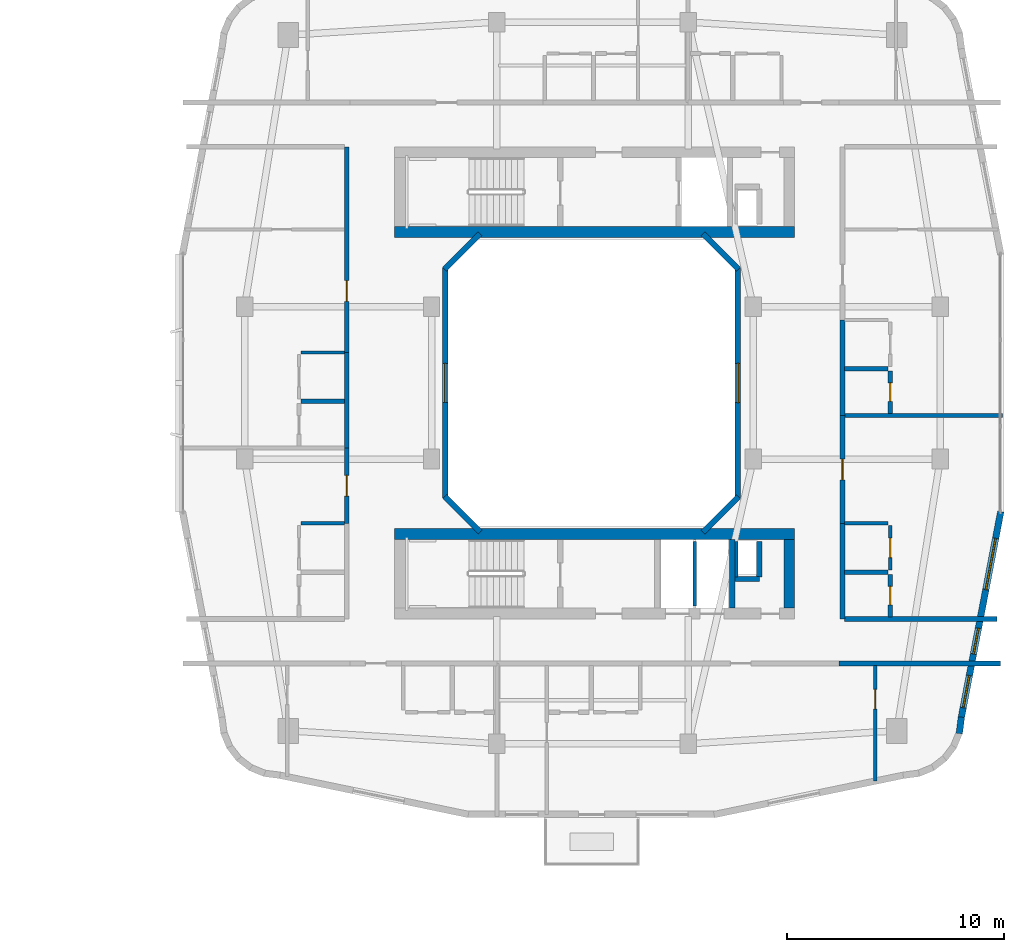
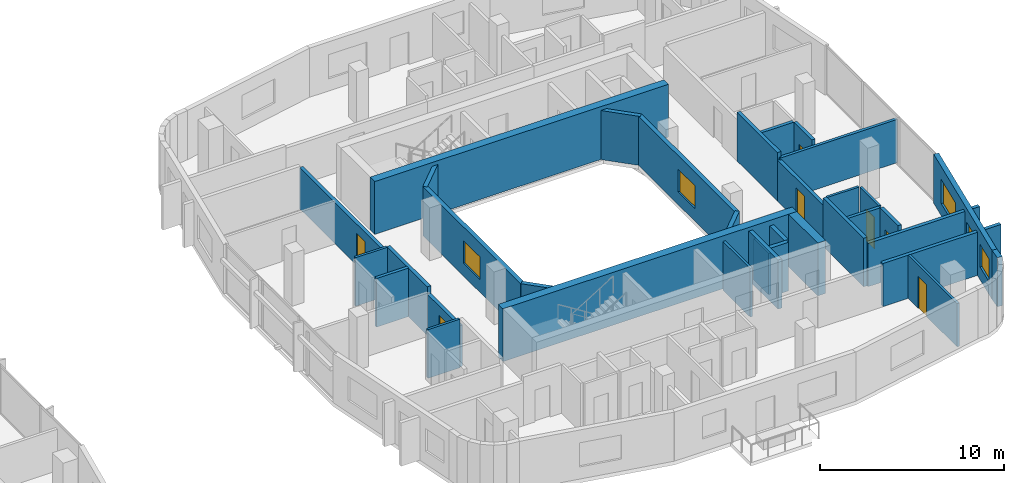
# One storey, part 14 of 22: 35 walls, 7 doors, 5 windows, 12 openings.
"""IFC4 building model written with IfcOpenShell, lengths in metres."""

import ifcopenshell
import ifcopenshell.guid

model = None  # the IFC model being written
_history = None  # IfcOwnerHistory: only IFC2X3 demands one
_inside = {}  # id of a spatial element -> (the spatial element, [elements in it])
_under = {}  # id of a project, library or spatial element -> (it, [spatial elements below it])
_declared = {}  # id of a project -> (the project, [libraries it declares])
_typed = {}  # id of a type object -> (the type object, [elements of that type])
_made_of = {}  # id of a material, layer set ... -> (it, [elements and type objects made of it])


def new_model(schema):
    """Start an empty IFC model of exactly this schema.

    Asked for "IFC4X3", IfcOpenShell would pick the latest addendum, in which some entities
    have other attributes; the version numbers below select the first issue.
    IFC2X3 requires an IfcOwnerHistory on every rooted entity: one is made here for all.
    """
    global model, _history
    if schema == "IFC4X3":
        model = ifcopenshell.file(schema_version=(4, 3, 0, 0))
    else:
        model = ifcopenshell.file(schema=schema)
    _inside.clear()
    _under.clear()
    _declared.clear()
    _typed.clear()
    _made_of.clear()
    _history = None
    if model.schema == "IFC2X3":
        org = make("IfcOrganization", Name="unknown")
        user = make(
            "IfcPersonAndOrganization",
            ThePerson=make("IfcPerson", FamilyName="unknown"),
            TheOrganization=org,
        )
        app = make(
            "IfcApplication",
            ApplicationDeveloper=org,
            Version="unknown",
            ApplicationFullName="unknown",
            ApplicationIdentifier="unknown",
        )
        _history = make(
            "IfcOwnerHistory",
            OwningUser=user,
            OwningApplication=app,
            ChangeAction="ADDED",
            CreationDate=0,
        )
    return model


def make(cls, **values):
    """One entity of the class cls with the attributes given. An attribute that is None is left unset."""
    return model.create_entity(
        cls, **{name: value for name, value in values.items() if value is not None}
    )


def rooted(cls, **values):
    """An entity with a GlobalId (a new one), such as an element, a storey or a relation."""
    return make(cls, GlobalId=ifcopenshell.guid.new(), OwnerHistory=_history, **values)


def si_unit(unit_type, name, prefix=None):
    """IfcSIUnit, for example si_unit("LENGTHUNIT", "METRE", prefix="MILLI")."""
    return make("IfcSIUnit", UnitType=unit_type, Prefix=prefix, Name=name)


def derived_unit(unit_type, elements):
    """IfcDerivedUnit: a product of units, each with its exponent."""
    return make(
        "IfcDerivedUnit",
        Elements=[
            make("IfcDerivedUnitElement", Unit=unit, Exponent=power)
            for unit, power in elements
        ],
        UnitType=unit_type,
    )


def assignment(units):
    """IfcUnitAssignment: the units of a project."""
    return None if units is None else make("IfcUnitAssignment", Units=units)


def point(xyz):
    """IfcCartesianPoint."""
    return None if xyz is None else make("IfcCartesianPoint", Coordinates=xyz)


def direction(xyz):
    """IfcDirection."""
    return None if xyz is None else make("IfcDirection", DirectionRatios=xyz)


def frame(location, z_axis=None, x_axis=None):
    """IfcAxis2Placement3D, a coordinate frame: its origin and axes. An axis left out is left unset."""
    return make(
        "IfcAxis2Placement3D",
        Location=point(location),
        Axis=direction(z_axis),
        RefDirection=direction(x_axis),
    )


def frame_2d(location, x_axis=None):
    """IfcAxis2Placement2D, a coordinate frame in the plane: its origin and x axis."""
    return make(
        "IfcAxis2Placement2D", Location=point(location), RefDirection=direction(x_axis)
    )


def origin():
    """The frame at (0, 0, 0) with its axes left unset."""
    return frame((0.0, 0.0, 0.0))


def place(relative_to, where):
    """IfcLocalPlacement: puts the frame where relative to a parent placement (None: the world)."""
    return make(
        "IfcLocalPlacement", PlacementRelTo=relative_to, RelativePlacement=where
    )


def context(
    kind, dimensions, precision=None, world=None, true_north=None, identifier=None
):
    """IfcGeometricRepresentationContext, for example the 3D "Model" context."""
    return make(
        "IfcGeometricRepresentationContext",
        ContextIdentifier=identifier,
        ContextType=kind,
        CoordinateSpaceDimension=dimensions,
        Precision=precision,
        WorldCoordinateSystem=world,
        TrueNorth=true_north,
    )


def subcontext(parent, identifier, kind, view, scale=None):
    """IfcGeometricRepresentationSubContext, for example "Body" below "Model"."""
    return make(
        "IfcGeometricRepresentationSubContext",
        ContextIdentifier=identifier,
        ContextType=kind,
        ParentContext=parent,
        TargetScale=scale,
        TargetView=view,
    )


def project(units=None, contexts=None):
    """IfcProject with its units and contexts."""
    return rooted(
        "IfcProject",
        Name="project",
        RepresentationContexts=contexts,
        UnitsInContext=assignment(units),
    )


def spatial(cls, under=None, at=None, **own):
    """A site, building, storey or space (cls), placed at a placement, below another one or the project."""
    s = rooted(cls, ObjectPlacement=at, **own)
    if under is not None:
        _under.setdefault(under.id(), (under, []))[1].append(s)
    return s


def profile(cls, at=None, kind="AREA", **sizes):
    """A parametric profile (cls). Its sizes go by their IFC names, for example OverallWidth=200.0."""
    return make(cls, ProfileType=kind, Position=at, **sizes)


def rectangle(**sizes):
    """IfcRectangleProfileDef."""
    return profile("IfcRectangleProfileDef", **sizes)


def extrude(swept, where, along, depth):
    """IfcExtrudedAreaSolid: the profile swept, set in the frame where, extruded along a direction by depth."""
    return make(
        "IfcExtrudedAreaSolid",
        SweptArea=swept,
        Position=where,
        ExtrudedDirection=direction(along),
        Depth=depth,
    )


def shape(context_of_items, identifier, shape_type, items):
    """IfcShapeRepresentation: the items that make up one representation, for example the "Body"."""
    return make(
        "IfcShapeRepresentation",
        ContextOfItems=context_of_items,
        RepresentationIdentifier=identifier,
        RepresentationType=shape_type,
        Items=items,
    )


def material(Name=None, Category=None):
    """IfcMaterial."""
    return make("IfcMaterial", Name=Name, Category=Category)


def layer(
    of_material, thickness, ventilated=None, Name=None, Category=None, Priority=None
):
    """IfcMaterialLayer: one layer of a wall or slab, of a material (None: an air gap)."""
    return make(
        "IfcMaterialLayer",
        Material=of_material,
        LayerThickness=thickness,
        IsVentilated=ventilated,
        Name=Name,
        Category=Category,
        Priority=Priority,
    )


def layer_set(layers, Name=None):
    """IfcMaterialLayerSet."""
    return make("IfcMaterialLayerSet", MaterialLayers=layers, LayerSetName=Name)


def made_of(thing, what):
    """Note that an element or type object is made of a material, layer set ...; save() writes the relation."""
    if what is not None:
        _made_of.setdefault(what.id(), (what, []))[1].append(thing)
    return thing


def type_object(cls, material=None, **own):
    """A type object (cls), such as IfcWallType, which elements share."""
    return made_of(rooted(cls, **own), material)


def element(
    cls,
    number,
    at=None,
    inside=None,
    cuts=None,
    type_object=None,
    material=None,
    context=None,
    identifier="Body",
    shape_type=None,
    held_by="IfcProductDefinitionShape",
    body=None,
    shapes=None,
    **own,
):
    """One element of the class cls, such as IfcWall. Its Tag is "e" and its number.

    at: its placement. inside: the storey or other place that contains it. cuts: it is an
    opening in that element (IfcRelVoidsElement). A single representation is given by context,
    identifier, shape_type and body (its items); several are given by shapes. held_by: the class
    of the entity that holds the representations. save() writes the other relations.
    """
    e = rooted(cls, Tag="e%d" % number, ObjectPlacement=at, **own)
    if body is not None:
        shapes = [shape(context, identifier, shape_type, body)]
    if shapes is not None:
        e.Representation = make(held_by, Representations=shapes)
    if inside is not None:
        _inside.setdefault(inside.id(), (inside, []))[1].append(e)
    if cuts is not None:
        rooted(
            "IfcRelVoidsElement", RelatingBuildingElement=cuts, RelatedOpeningElement=e
        )
    if type_object is not None:
        _typed.setdefault(type_object.id(), (type_object, []))[1].append(e)
    return made_of(e, material)


def fill(opening, filler):
    """IfcRelFillsElement: the door or window that sits in an opening."""
    return rooted(
        "IfcRelFillsElement",
        RelatingOpeningElement=opening,
        RelatedBuildingElement=filler,
    )


def aggregate(whole, parts):
    """IfcRelAggregates: a whole, such as a stair, and the parts it consists of."""
    return rooted("IfcRelAggregates", RelatingObject=whole, RelatedObjects=parts)


def save(model, path):
    """Write the relations noted so far, then the file.

    IfcRelAggregates (storeys below a building ...), IfcRelContainedInSpatialStructure (elements
    in a storey), IfcRelDefinesByType, IfcRelAssociatesMaterial and IfcRelDeclares: one each for
    every whole, place, type object, material and project.
    """
    for whole, parts in _under.values():
        aggregate(whole, parts)
    for where, things in _inside.values():
        rooted(
            "IfcRelContainedInSpatialStructure",
            RelatedElements=things,
            RelatingStructure=where,
        )
    for kind, things in _typed.values():
        rooted("IfcRelDefinesByType", RelatedObjects=things, RelatingType=kind)
    for what, things in _made_of.values():
        rooted("IfcRelAssociatesMaterial", RelatedObjects=things, RelatingMaterial=what)
    for by, libraries in _declared.values():
        rooted("IfcRelDeclares", RelatingContext=by, RelatedDefinitions=libraries)
    model.write(path)


model = new_model("IFC4")

# Units and contexts
model_context = context("Model", 3, precision=1e-05, world=origin(), true_north=direction((0.0, 1.0)))
body_context = subcontext(model_context, "Body", "Model", "MODEL_VIEW")
ifc_project = project(units=[si_unit("LENGTHUNIT", "METRE"), si_unit("AREAUNIT", "SQUARE_METRE"), si_unit("VOLUMEUNIT", "CUBIC_METRE"), si_unit("PLANEANGLEUNIT", "RADIAN"), si_unit("MASSUNIT", "GRAM", prefix="KILO"), derived_unit("THERMALTRANSMITTANCEUNIT", [(si_unit("POWERUNIT", "WATT"), 1), (si_unit("LENGTHUNIT", "METRE"), -2), (si_unit("THERMODYNAMICTEMPERATUREUNIT", "KELVIN"), -1)])], contexts=[model_context])

# Site, building, storey
site_placement = place(None, origin())
site = spatial("IfcSite", under=ifc_project, at=site_placement, CompositionType="ELEMENT")
building_placement = place(site_placement, origin())
building = spatial("IfcBuilding", under=site, at=building_placement, Name="Kivonza Crest Hotel", CompositionType="ELEMENT")
storey_placement = place(building_placement, frame((0.0, 0.0, 69.5)))
storey = spatial("IfcBuildingStorey", under=building, at=storey_placement, Name="L18", CompositionType="ELEMENT", Elevation=69.5)

# Walls
ifc_material_1 = material(Name="High-density acoustic masonry inter-tenancy wall", Category="masonry")
ifc_layer_1 = layer(ifc_material_1, 0.179931640625)
ifc_layer_set_1 = layer_set([ifc_layer_1], Name="High-density acoustic masonry inter-tenancy wall")
wall_type_1 = type_object("IfcWallType", Name="WL-ACOU-180", PredefinedType="SOLIDWALL", material=ifc_layer_set_1)
wall_1_placement = place(storey_placement, frame((88.5, 23.5, 0.0), z_axis=(0.0, 0.0, 1.0), x_axis=(1.0, 0.0, 0.0)))
element("IfcWall", 1, at=wall_1_placement, inside=storey, type_object=wall_type_1, Name="L18 interior partition WA-L18-T2E-DIV1", PredefinedType="SOLIDWALL", context=body_context, shape_type="SweptSolid", body=[
    extrude(rectangle(XDim=7.360107421875, YDim=0.179931640625, at=frame_2d((3.68017578125, 0.0))), origin(), (0.0, 0.0, 1.0), 2.864990234375),
])
ifc_material_2 = material(Name="Autoclaved aerated concrete blockwork", Category="masonry")
ifc_layer_2 = layer(ifc_material_2, 0.219970703125)
ifc_layer_set_2 = layer_set([ifc_layer_2], Name="Autoclaved aerated concrete blockwork")
wall_type_2 = type_object("IfcWallType", Name="WL-ACOU-220", PredefinedType="SOLIDWALL", material=ifc_layer_set_2)
wall_2_placement = place(storey_placement, frame((88.35009765625, 12.10009765625, 0.0), z_axis=(0.0, 0.0, 1.0), x_axis=(1.0, 0.0, 0.0)))
element("IfcWall", 2, at=wall_2_placement, inside=storey, type_object=wall_type_2, Name="L18 interior partition WA-L18-A04-RCORR", PredefinedType="SOLIDWALL", context=body_context, shape_type="SweptSolid", body=[
    extrude(rectangle(XDim=7.409912109375, YDim=0.219970703125, at=frame_2d((3.705078125, 0.0))), origin(), (0.0, 0.0, 1.0), 2.864990234375),
])

# Wall, opening, door
wall_3_placement = place(storey_placement, frame((65.699951171875, 18.5400390625, 0.0), z_axis=(0.0, 0.0, 1.0), x_axis=(0.0, 1.0, 0.0)))
wall_3 = element("IfcWall", 3, at=wall_3_placement, inside=storey, type_object=wall_type_2, Name="L18 interior partition WA-L18-A05-MCORR", PredefinedType="SOLIDWALL", context=body_context, shape_type="SweptSolid", body=[
    extrude(rectangle(XDim=3.4599609375, YDim=0.219970703125, at=frame_2d((1.72998046875, 0.0))), origin(), (0.0, 0.0, 1.0), 2.72509765625),
])
opening_1_placement = place(wall_3_placement, frame((1.2548828125, 0.0, 0.0)))
opening_1 = element("IfcOpeningElement", 4, at=opening_1_placement, cuts=wall_3, Name="Opening DU-60", PredefinedType="OPENING", context=body_context, shape_type="SweptSolid", body=[
    extrude(rectangle(XDim=0.949951171875, YDim=2.10009765625, at=frame_2d((0.47509765625, 1.050048828125))), frame((0.0, 0.1201171875, 0.0), z_axis=(0.0, -1.0, 0.0), x_axis=(1.0, 0.0, 0.0)), (0.0, 0.0, 1.0), 0.239990234375),
])
ifc_material_3 = material(Name="Hardwood timber oak", Category="wood")
door_type_1 = type_object("IfcDoorType", Name="DR-UNIT-950", OperationType="NOTDEFINED", PredefinedType="DOOR", material=ifc_material_3)
door_1_placement = place(opening_1_placement, origin())
door_1 = element("IfcDoor", 5, at=door_1_placement, inside=storey, type_object=door_type_1, Name="L18 A05 apartment entrance fire door", OperationType="SINGLE_SWING_LEFT", OverallHeight=2.10009765625, OverallWidth=0.949951171875, PredefinedType="DOOR", context=body_context, shape_type="SweptSolid", body=[
    extrude(rectangle(XDim=0.949951171875, YDim=2.10009765625, at=frame_2d((0.47509765625, 1.050048828125))), frame((0.0, 0.02490234375, 0.0), z_axis=(0.0, -1.0, 0.0), x_axis=(1.0, 0.0, 0.0)), (0.0, 0.0, 1.0), 0.050048828125),
])
fill(opening_1, door_1)

# Wall
wall_4_placement = place(storey_placement, frame((65.699951171875, 22.0, 0.0), z_axis=(0.0, 0.0, 1.0), x_axis=(0.0, 1.0, 0.0)))
element("IfcWall", 6, at=wall_4_placement, inside=storey, type_object=wall_type_2, Name="L18 interior partition WA-L18-A06-BCORR", PredefinedType="SOLIDWALL", context=body_context, shape_type="SweptSolid", body=[
    extrude(rectangle(XDim=4.39990234375, YDim=0.219970703125, at=frame_2d((2.199951171875, 0.0))), origin(), (0.0, 0.0, 1.0), 3.219970703125),
])

# Wall, opening, door
wall_5_placement = place(storey_placement, frame((65.699951171875, 26.39990234375, 0.0), z_axis=(0.0, 0.0, 1.0), x_axis=(0.0, 1.0, 0.0)))
wall_5 = element("IfcWall", 7, at=wall_5_placement, inside=storey, type_object=wall_type_2, Name="L18 interior partition WA-L18-A06-MCORR", PredefinedType="SOLIDWALL", context=body_context, shape_type="SweptSolid", body=[
    extrude(rectangle(XDim=9.460205078125, YDim=0.219970703125, at=frame_2d((4.72998046875, 0.0))), origin(), (0.0, 0.0, 1.0), 2.72509765625),
])
opening_2_placement = place(wall_5_placement, frame((2.35498046875, 0.0, 0.0)))
opening_2 = element("IfcOpeningElement", 8, at=opening_2_placement, cuts=wall_5, Name="Opening DU-60", PredefinedType="OPENING", context=body_context, shape_type="SweptSolid", body=[
    extrude(rectangle(XDim=0.949951171875, YDim=2.10009765625, at=frame_2d((0.47509765625, 1.050048828125))), frame((0.0, 0.1201171875, 0.0), z_axis=(0.0, -1.0, 0.0), x_axis=(1.0, 0.0, 0.0)), (0.0, 0.0, 1.0), 0.239990234375),
])
door_2_placement = place(opening_2_placement, origin())
door_2 = element("IfcDoor", 9, at=door_2_placement, inside=storey, type_object=door_type_1, Name="L18 A06 apartment entrance fire door", OperationType="SINGLE_SWING_RIGHT", OverallHeight=2.10009765625, OverallWidth=0.949951171875, PredefinedType="DOOR", context=body_context, shape_type="SweptSolid", body=[
    extrude(rectangle(XDim=0.949951171875, YDim=2.10009765625, at=frame_2d((0.47509765625, 1.050048828125))), frame((0.0, 0.02490234375, 0.0), z_axis=(0.0, -1.0, 0.0), x_axis=(1.0, 0.0, 0.0)), (0.0, 0.0, 1.0), 0.050048828125),
])
fill(opening_2, door_2)

# Walls
wall_6_placement = place(storey_placement, frame((88.60009765625, 14.139892578125, 0.0), z_axis=(0.0, 0.0, 1.0), x_axis=(1.0, 0.0, 0.0)))
element("IfcWall", 10, at=wall_6_placement, inside=storey, type_object=wall_type_2, Name="L18 interior partition WA-L18-T2E-ENDS", PredefinedType="SOLIDWALL", context=body_context, shape_type="SweptSolid", body=[
    extrude(rectangle(XDim=7.0, YDim=0.219970703125, at=frame_2d((3.5, 0.0))), origin(), (0.0, 0.0, 1.0), 2.864990234375),
])
wall_7_placement = place(storey_placement, frame((88.5, 14.139892578125, 0.0), z_axis=(0.0, 0.0, 1.0), x_axis=(0.0, 1.0, 0.0)))
element("IfcWall", 11, at=wall_7_placement, inside=storey, type_object=wall_type_2, Name="L18 interior partition WA-L18-A07-BCORR", PredefinedType="SOLIDWALL", context=body_context, shape_type="SweptSolid", body=[
    extrude(rectangle(XDim=4.400146484375, YDim=0.219970703125, at=frame_2d((2.2001953125, 0.0))), origin(), (0.0, 0.0, 1.0), 3.219970703125),
])

# Wall, opening, door
wall_8_placement = place(storey_placement, frame((88.5, 18.5400390625, 0.0), z_axis=(0.0, 0.0, 1.0), x_axis=(0.0, 1.0, 0.0)))
wall_8 = element("IfcWall", 12, at=wall_8_placement, inside=storey, type_object=wall_type_2, Name="L18 interior partition WA-L18-A07-MCORR", PredefinedType="SOLIDWALL", context=body_context, shape_type="SweptSolid", body=[
    extrude(rectangle(XDim=4.9599609375, YDim=0.219970703125, at=frame_2d((2.47998046875, 0.0))), origin(), (0.0, 0.0, 1.0), 2.72509765625),
])
opening_3_placement = place(wall_8_placement, frame((2.0048828125, 0.0, 0.0)))
opening_3 = element("IfcOpeningElement", 13, at=opening_3_placement, cuts=wall_8, Name="Opening DU-60", PredefinedType="OPENING", context=body_context, shape_type="SweptSolid", body=[
    extrude(rectangle(XDim=0.949951171875, YDim=2.10009765625, at=frame_2d((0.47509765625, 1.050048828125))), frame((0.0, 0.1201171875, 0.0), z_axis=(0.0, -1.0, 0.0), x_axis=(1.0, 0.0, 0.0)), (0.0, 0.0, 1.0), 0.239990234375),
])
door_3_placement = place(opening_3_placement, frame((0.949951171875, 0.0, 0.0), z_axis=(0.0, 0.0, 1.0), x_axis=(-1.0, 0.0, 0.0)))
door_3 = element("IfcDoor", 14, at=door_3_placement, inside=storey, type_object=door_type_1, Name="L18 A07 apartment entrance fire door", OperationType="SINGLE_SWING_LEFT", OverallHeight=2.10009765625, OverallWidth=0.949951171875, PredefinedType="DOOR", context=body_context, shape_type="SweptSolid", body=[
    extrude(rectangle(XDim=0.949951171875, YDim=2.10009765625, at=frame_2d((0.47509765625, 1.050048828125))), frame((0.0, 0.02490234375, 0.0), z_axis=(0.0, -1.0, 0.0), x_axis=(1.0, 0.0, 0.0)), (0.0, 0.0, 1.0), 0.050048828125),
])
fill(opening_3, door_3)

# Walls
wall_9_placement = place(storey_placement, frame((88.5, 23.5, 0.0), z_axis=(0.0, 0.0, 1.0), x_axis=(0.0, 1.0, 0.0)))
element("IfcWall", 15, at=wall_9_placement, inside=storey, type_object=wall_type_2, Name="L18 interior partition WA-L18-A08-BCORR", PredefinedType="SOLIDWALL", context=body_context, shape_type="SweptSolid", body=[
    extrude(rectangle(XDim=4.39990234375, YDim=0.219970703125, at=frame_2d((2.199951171875, 0.0))), origin(), (0.0, 0.0, 1.0), 3.219970703125),
])
ifc_material_4 = material(Name="Concrete C60/75", Category="concrete")
ifc_layer_3 = layer(ifc_material_4, 0.5)
ifc_layer_set_3 = layer_set([ifc_layer_3], Name="Concrete C60/75")
wall_type_3 = type_object("IfcWallType", Name="WL-CORE-500", PredefinedType="SHEAR", material=ifc_layer_set_3)
for number, where, z_axis, x_axis, name in (
    (16, (67.89990234375, 31.949951171875, 0.0), (0.0, 0.0, 1.0), (1.0, 0.0, 0.0), "Core wall T2-N South L18"),
    (17, (67.89990234375, 18.050048828125, 0.0), (0.0, 0.0, 1.0), (1.0, 0.0, 0.0), "Core wall T2-S North L18"),
):
    element("IfcWall", number, at=place(storey_placement, frame(where, z_axis=z_axis, x_axis=x_axis)), inside=storey, type_object=wall_type_3, Name=name, PredefinedType="SHEAR", context=body_context, shape_type="SweptSolid", body=[
        extrude(rectangle(XDim=18.400146484375, YDim=0.5, at=frame_2d((9.2001953125, 0.0))), origin(), (0.0, 0.0, 1.0), 3.5),
    ])
wall_10_placement = place(storey_placement, frame((86.050048828125, 14.639892578125, 0.0), z_axis=(0.0, 0.0, 1.0), x_axis=(0.0, 1.0, 0.0)))
element("IfcWall", 18, at=wall_10_placement, inside=storey, type_object=wall_type_3, Name="Core wall T2-S East L18", PredefinedType="SHEAR", context=body_context, shape_type="SweptSolid", body=[
    extrude(rectangle(XDim=3.16015625, YDim=0.5, at=frame_2d((1.580078125, 0.0))), origin(), (0.0, 0.0, 1.0), 3.5),
])
ifc_material_5 = material(Name="Precast concrete C40/50", Category="concrete")
ifc_layer_4 = layer(ifc_material_5, 0.260009765625)
ifc_layer_set_4 = layer_set([ifc_layer_4], Name="Precast concrete C40/50")
wall_type_4 = type_object("IfcWallType", Name="WL-EXT-260", PredefinedType="STANDARD", material=ifc_layer_set_4)
wall_11_placement = place(storey_placement, frame((82.08203125, 18.137939453125, 0.0), z_axis=(0.0, 0.0, 1.0), x_axis=(0.707106781187, 0.707106781187, 0.0)))
element("IfcWall", 19, at=wall_11_placement, inside=storey, type_object=wall_type_4, Name="L18 T2 light-well exterior wall 2", PredefinedType="STANDARD", context=body_context, shape_type="SweptSolid", body=[
    extrude(rectangle(XDim=2.310791015625, YDim=0.260009765625, at=frame_2d((1.1552734375, 0.0))), origin(), (0.0, 0.0, 1.0), 3.25),
])

# Wall, opening, window
wall_12_placement = place(storey_placement, frame((83.68994140625, 19.7099609375, 0.0), z_axis=(0.0, 0.0, 1.0), x_axis=(0.0, 1.0, 0.0)))
wall_12 = element("IfcWall", 20, at=wall_12_placement, inside=storey, type_object=wall_type_4, Name="L18 T2 light-well exterior wall 3", PredefinedType="STANDARD", context=body_context, shape_type="SweptSolid", body=[
    extrude(rectangle(XDim=10.580078125, YDim=0.260009765625, at=frame_2d((5.2900390625, 0.0))), origin(), (0.0, 0.0, 1.0), 3.25),
])
opening_4_placement = place(wall_12_placement, frame((4.389892578125, 0.0, 0.85009765625)))
opening_4 = element("IfcOpeningElement", 21, at=opening_4_placement, cuts=wall_12, Name="Opening WN-03", PredefinedType="OPENING", context=body_context, shape_type="SweptSolid", body=[
    extrude(rectangle(XDim=1.800048828125, YDim=1.5, at=frame_2d((0.89990234375, 0.75))), frame((0.0, 0.14013671875, 0.0), z_axis=(0.0, -1.0, 0.0), x_axis=(1.0, 0.0, 0.0)), (0.0, 0.0, 1.0), 0.280029296875),
])
ifc_material_6 = material(Name="Thermally broken bronze aluminium and low-E double glazing", Category="aluminium")
window_type_1 = type_object("IfcWindowType", Name="WN-180x150", PartitioningType="DOUBLE_PANEL_VERTICAL", PredefinedType="WINDOW", material=ifc_material_6)
window_1_placement = place(opening_4_placement, origin())
window_1 = element("IfcWindow", 22, at=window_1_placement, inside=storey, type_object=window_type_1, Name="L18 T2 light-well window 3", OverallHeight=1.5, OverallWidth=1.800048828125, PartitioningType="SINGLE_PANEL", PredefinedType="WINDOW", context=body_context, shape_type="SweptSolid", body=[
    extrude(rectangle(XDim=1.800048828125, YDim=1.5, at=frame_2d((0.89990234375, 0.75))), frame((0.0, 0.030029296875, 0.0), z_axis=(0.0, -1.0, 0.0), x_axis=(1.0, 0.0, 0.0)), (0.0, 0.0, 1.0), 0.06005859375),
])
fill(opening_4, window_1)

# Walls
for number, where, z_axis, x_axis, name in (
    (23, (83.716064453125, 30.22802734375, 0.0), (0.0, 0.0, 1.0), (-0.707106781187, 0.707106781187, 0.0), "L18 T2 light-well exterior wall 4"),
    (24, (71.837890625, 31.862060546875, 0.0), (0.0, 0.0, 1.0), (-0.707053950914, -0.707159607512, 0.0), "L18 T2 light-well exterior wall 6"),
):
    element("IfcWall", number, at=place(storey_placement, frame(where, z_axis=z_axis, x_axis=x_axis)), inside=storey, type_object=wall_type_4, Name=name, PredefinedType="STANDARD", context=body_context, shape_type="SweptSolid", body=[
        extrude(rectangle(XDim=2.310791015625, YDim=0.260009765625, at=frame_2d((1.1552734375, 0.0))), origin(), (0.0, 0.0, 1.0), 3.25),
    ])

# Wall, opening, window
wall_13_placement = place(storey_placement, frame((70.22998046875, 30.2900390625, 0.0), z_axis=(0.0, 0.0, 1.0), x_axis=(0.0, -1.0, 0.0)))
wall_13 = element("IfcWall", 25, at=wall_13_placement, inside=storey, type_object=wall_type_4, Name="L18 T2 light-well exterior wall 7", PredefinedType="STANDARD", context=body_context, shape_type="SweptSolid", body=[
    extrude(rectangle(XDim=10.580078125, YDim=0.260009765625, at=frame_2d((5.2900390625, 0.0))), origin(), (0.0, 0.0, 1.0), 3.25),
])
opening_5_placement = place(wall_13_placement, frame((4.389892578125, 0.0, 0.85009765625)))
opening_5 = element("IfcOpeningElement", 26, at=opening_5_placement, cuts=wall_13, Name="Opening WN-03", PredefinedType="OPENING", context=body_context, shape_type="SweptSolid", body=[
    extrude(rectangle(XDim=1.800048828125, YDim=1.5, at=frame_2d((0.89990234375, 0.75))), frame((0.0, 0.14013671875, 0.0), z_axis=(0.0, -1.0, 0.0), x_axis=(1.0, 0.0, 0.0)), (0.0, 0.0, 1.0), 0.280029296875),
])
window_2_placement = place(opening_5_placement, origin())
window_2 = element("IfcWindow", 27, at=window_2_placement, inside=storey, type_object=window_type_1, Name="L18 T2 light-well window 7", OverallHeight=1.5, OverallWidth=1.800048828125, PartitioningType="SINGLE_PANEL", PredefinedType="WINDOW", context=body_context, shape_type="SweptSolid", body=[
    extrude(rectangle(XDim=1.800048828125, YDim=1.5, at=frame_2d((0.89990234375, 0.75))), frame((0.0, 0.030029296875, 0.0), z_axis=(0.0, -1.0, 0.0), x_axis=(1.0, 0.0, 0.0)), (0.0, 0.0, 1.0), 0.06005859375),
])
fill(opening_5, window_2)

# Walls
wall_14_placement = place(storey_placement, frame((70.2041015625, 19.77197265625, 0.0), z_axis=(0.0, 0.0, 1.0), x_axis=(0.707053950914, -0.707159607512, 0.0)))
element("IfcWall", 28, at=wall_14_placement, inside=storey, type_object=wall_type_4, Name="L18 T2 light-well exterior wall 8", PredefinedType="STANDARD", context=body_context, shape_type="SweptSolid", body=[
    extrude(rectangle(XDim=2.310791015625, YDim=0.260009765625, at=frame_2d((1.1552734375, 0.0))), origin(), (0.0, 0.0, 1.0), 3.25),
])
ifc_layer_5 = layer(ifc_material_5, 0.300048828125)
ifc_layer_set_5 = layer_set([ifc_layer_5], Name="Precast concrete C40/50")
wall_type_5 = type_object("IfcWallType", Name="WL-EXT-300", PredefinedType="STANDARD", material=ifc_layer_set_5)
wall_15_placement = place(storey_placement, frame((93.873046875, 8.868896484375, 0.0), z_axis=(0.0, 0.0, 1.0), x_axis=(0.129339184068, 0.991600411186, 0.0)))
element("IfcWall", 29, at=wall_15_placement, inside=storey, type_object=wall_type_5, Name="L18 T2 exterior insulated wall 15", PredefinedType="STANDARD", context=body_context, shape_type="SweptSolid", body=[
    extrude(rectangle(XDim=0.764404296875, YDim=0.300048828125, at=frame_2d((0.38232421875, 0.0))), origin(), (0.0, 0.0, 1.0), 3.25),
])

# Wall, openings, windows
wall_16_placement = place(storey_placement, frame((93.970947265625, 9.6201171875, 0.0), z_axis=(0.0, 0.0, 1.0), x_axis=(0.188087874316, 0.982152203854, 0.0)))
wall_16 = element("IfcWall", 30, at=wall_16_placement, inside=storey, type_object=wall_type_5, Name="L18 T2 exterior insulated wall 16", PredefinedType="STANDARD", context=body_context, shape_type="SweptSolid", body=[
    extrude(rectangle(XDim=9.6337890625, YDim=0.300048828125, at=frame_2d((4.81689453125, 0.0))), origin(), (0.0, 0.0, 1.0), 3.25),
])
opening_6_placement = place(wall_16_placement, frame((0.451904296875, 0.0, 0.85009765625)))
opening_6 = element("IfcOpeningElement", 31, at=opening_6_placement, cuts=wall_16, Name="Opening WN-02", PredefinedType="OPENING", context=body_context, shape_type="SweptSolid", body=[
    extrude(rectangle(XDim=1.5, YDim=1.5, at=frame_2d((0.75, 0.75))), frame((0.0, 0.16015625, 0.0), z_axis=(0.0, -1.0, 0.0), x_axis=(1.0, 0.0, 0.0)), (0.0, 0.0, 1.0), 0.320068359375),
])
opening_7_placement = place(wall_16_placement, frame((2.964111328125, 0.0, 0.85009765625)))
opening_7 = element("IfcOpeningElement", 32, at=opening_7_placement, cuts=wall_16, Name="Opening WN-01", PredefinedType="OPENING", context=body_context, shape_type="SweptSolid", body=[
    extrude(rectangle(XDim=1.199951171875, YDim=1.5, at=frame_2d((0.60009765625, 0.75))), frame((0.0, 0.16015625, 0.0), z_axis=(0.0, -1.0, 0.0), x_axis=(1.0, 0.0, 0.0)), (0.0, 0.0, 1.0), 0.320068359375),
])
opening_8_placement = place(wall_16_placement, frame((5.97900390625, 0.0, 0.800048828125)))
opening_8 = element("IfcOpeningElement", 33, at=opening_8_placement, cuts=wall_16, Name="Opening WN-05", PredefinedType="OPENING", context=body_context, shape_type="SweptSolid", body=[
    extrude(rectangle(XDim=2.39990234375, YDim=1.60009765625, at=frame_2d((1.199951171875, 0.800048828125))), frame((0.0, 0.16015625, 0.0), z_axis=(0.0, -1.0, 0.0), x_axis=(1.0, 0.0, 0.0)), (0.0, 0.0, 1.0), 0.320068359375),
])
window_type_2 = type_object("IfcWindowType", Name="WN-120x150", PartitioningType="SINGLE_PANEL", PredefinedType="WINDOW", material=ifc_material_6)
window_3_placement = place(opening_7_placement, origin())
window_3 = element("IfcWindow", 34, at=window_3_placement, inside=storey, type_object=window_type_2, Name="L18 T2 facade window 16 bay 2", OverallHeight=1.5, OverallWidth=1.199951171875, PartitioningType="SINGLE_PANEL", PredefinedType="WINDOW", context=body_context, shape_type="SweptSolid", body=[
    extrude(rectangle(XDim=1.199951171875, YDim=1.5, at=frame_2d((0.60009765625, 0.75))), frame((0.0, 0.030029296875, 0.0), z_axis=(0.0, -1.0, 0.0), x_axis=(1.0, 0.0, 0.0)), (0.0, 0.0, 1.0), 0.06005859375),
])
fill(opening_7, window_3)
window_type_3 = type_object("IfcWindowType", Name="WN-150x150", PartitioningType="DOUBLE_PANEL_VERTICAL", PredefinedType="WINDOW", material=ifc_material_6)
window_4_placement = place(opening_6_placement, origin())
window_4 = element("IfcWindow", 35, at=window_4_placement, inside=storey, type_object=window_type_3, Name="L18 T2 facade window 16 bay 1", OverallHeight=1.5, OverallWidth=1.5, PartitioningType="SINGLE_PANEL", PredefinedType="WINDOW", context=body_context, shape_type="SweptSolid", body=[
    extrude(rectangle(XDim=1.5, YDim=1.5, at=frame_2d((0.75, 0.75))), frame((0.0, 0.030029296875, 0.0), z_axis=(0.0, -1.0, 0.0), x_axis=(1.0, 0.0, 0.0)), (0.0, 0.0, 1.0), 0.06005859375),
])
fill(opening_6, window_4)
window_type_4 = type_object("IfcWindowType", Name="WN-240x160", PartitioningType="TRIPLE_PANEL_VERTICAL", PredefinedType="WINDOW", material=ifc_material_6)
window_5_placement = place(opening_8_placement, origin())
window_5 = element("IfcWindow", 36, at=window_5_placement, inside=storey, type_object=window_type_4, Name="L18 T2 facade window 16 bay 3", OverallHeight=1.60009765625, OverallWidth=2.39990234375, PartitioningType="SINGLE_PANEL", PredefinedType="WINDOW", context=body_context, shape_type="SweptSolid", body=[
    extrude(rectangle(XDim=2.39990234375, YDim=1.60009765625, at=frame_2d((1.199951171875, 0.800048828125))), frame((0.0, 0.030029296875, 0.0), z_axis=(0.0, -1.0, 0.0), x_axis=(1.0, 0.0, 0.0)), (0.0, 0.0, 1.0), 0.06005859375),
])
fill(opening_8, window_5)

# Walls
ifc_material_7 = material(Name="Concrete blockwork fire-compartment wall", Category="masonry")
ifc_layer_6 = layer(ifc_material_7, 0.25)
ifc_layer_set_6 = layer_set([ifc_layer_6], Name="Concrete blockwork fire-compartment wall")
wall_type_6 = type_object("IfcWallType", Name="WL-FIRE-250", PredefinedType="SOLIDWALL", material=ifc_layer_set_6)
wall_17_placement = place(storey_placement, frame((84.679931640625, 16.080078125, 0.0), z_axis=(0.0, 0.0, 1.0), x_axis=(0.0, 1.0, 0.0)))
element("IfcWall", 37, at=wall_17_placement, inside=storey, type_object=wall_type_6, Name="L18 interior partition WA-L18-T2-S-MEPR-E", PredefinedType="SOLIDWALL", context=body_context, shape_type="SweptSolid", body=[
    extrude(rectangle(XDim=1.619873046875, YDim=0.25, at=frame_2d((0.81005859375, 0.0))), origin(), (0.0, 0.0, 1.0), 3.219970703125),
])
wall_18_placement = place(storey_placement, frame((83.550048828125, 15.97998046875, 0.0), z_axis=(0.0, 0.0, 1.0), x_axis=(1.0, 0.0, 0.0)))
element("IfcWall", 38, at=wall_18_placement, inside=storey, type_object=wall_type_6, Name="L18 interior partition WA-L18-T2-S-MEPR-H", PredefinedType="SOLIDWALL", context=body_context, shape_type="SweptSolid", body=[
    extrude(rectangle(XDim=1.1298828125, YDim=0.25, at=frame_2d((0.56494140625, 0.0))), origin(), (0.0, 0.0, 1.0), 3.219970703125),
])
ifc_material_8 = material(Name="Twin-stud acoustic gypsum board partition", Category="gypsum")
ifc_layer_7 = layer(ifc_material_8, 0.14990234375)
ifc_layer_set_7 = layer_set([ifc_layer_7], Name="Twin-stud acoustic gypsum board partition")
wall_type_7 = type_object("IfcWallType", Name="WL-PART-150", PredefinedType="PARTITIONING", material=ifc_layer_set_7)
wall_19_placement = place(storey_placement, frame((83.6298828125, 16.080078125, 0.0), z_axis=(0.0, 0.0, 1.0), x_axis=(0.0, 1.0, 0.0)))
element("IfcWall", 39, at=wall_19_placement, inside=storey, type_object=wall_type_7, Name="L18 interior partition WA-L18-T2-S-MEPR-W", PredefinedType="PARTITIONING", context=body_context, shape_type="SweptSolid", body=[
    extrude(rectangle(XDim=1.619873046875, YDim=0.14990234375, at=frame_2d((0.81005859375, 0.0))), origin(), (0.0, 0.0, 1.0), 2.72509765625),
])
wall_20_placement = place(storey_placement, frame((81.699951171875, 14.739990234375, 0.0), z_axis=(0.0, 0.0, 1.0), x_axis=(0.0, 1.0, 0.0)))
element("IfcWall", 40, at=wall_20_placement, inside=storey, type_object=wall_type_7, Name="L18 interior partition WP-L18-T2-S-BSH-1", PredefinedType="PARTITIONING", context=body_context, shape_type="SweptSolid", body=[
    extrude(rectangle(XDim=2.9599609375, YDim=0.14990234375, at=frame_2d((1.47998046875, 0.0))), origin(), (0.0, 0.0, 1.0), 3.219970703125),
])

# Wall, opening, door
wall_21_placement = place(storey_placement, frame((90.010009765625, 6.68896484375, 0.0), z_axis=(0.0, 0.0, 1.0), x_axis=(0.0, 1.0, 0.0)))
wall_21 = element("IfcWall", 41, at=wall_21_placement, inside=storey, type_object=wall_type_7, Name="L18 interior partition WP-L18-A04-BDW2", PredefinedType="PARTITIONING", context=body_context, shape_type="SweptSolid", body=[
    extrude(rectangle(XDim=5.31103515625, YDim=0.14990234375, at=frame_2d((2.655517578125, 0.0))), origin(), (0.0, 0.0, 1.0), 2.864990234375),
])
opening_9_placement = place(wall_21_placement, frame((3.31005859375, 0.0, 0.0)))
opening_9 = element("IfcOpeningElement", 42, at=opening_9_placement, cuts=wall_21, Name="Opening DI-90", PredefinedType="OPENING", context=body_context, shape_type="SweptSolid", body=[
    extrude(rectangle(XDim=0.89990234375, YDim=2.10009765625, at=frame_2d((0.449951171875, 1.050048828125))), frame((0.0, 0.0849609375, 0.0), z_axis=(0.0, -1.0, 0.0), x_axis=(1.0, 0.0, 0.0)), (0.0, 0.0, 1.0), 0.169921875),
])
door_type_2 = type_object("IfcDoorType", Name="DR-INT-900", OperationType="NOTDEFINED", PredefinedType="DOOR", material=ifc_material_3)
door_4_placement = place(opening_9_placement, origin())
door_4 = element("IfcDoor", 43, at=door_4_placement, inside=storey, type_object=door_type_2, Name="L18 A04 bedroom 2 door", OperationType="SINGLE_SWING_RIGHT", OverallHeight=2.10009765625, OverallWidth=0.89990234375, PredefinedType="DOOR", context=body_context, shape_type="SweptSolid", body=[
    extrude(rectangle(XDim=0.89990234375, YDim=2.10009765625, at=frame_2d((0.449951171875, 1.050048828125))), frame((0.0, 0.02490234375, 0.0), z_axis=(0.0, -1.0, 0.0), x_axis=(1.0, 0.0, 0.0)), (0.0, 0.0, 1.0), 0.050048828125),
])
fill(opening_9, door_4)

# Walls
for number, where, z_axis, x_axis, name in (
    (44, (63.60009765625, 18.5400390625, 0.0), (0.0, 0.0, 1.0), (1.0, 0.0, 0.0), "L18 interior partition WP-L18-A05-KF"),
    (45, (63.60009765625, 26.39990234375, 0.0), (0.0, 0.0, 1.0), (1.0, 0.0, 0.0), "L18 interior partition WP-L18-A06-KF"),
    (46, (88.60009765625, 18.5400390625, 0.0), (0.0, 0.0, 1.0), (1.0, 0.0, 0.0), "L18 interior partition WP-L18-A07-KF"),
):
    element("IfcWall", number, at=place(storey_placement, frame(where, z_axis=z_axis, x_axis=x_axis)), inside=storey, type_object=wall_type_7, Name=name, PredefinedType="PARTITIONING", context=body_context, shape_type="SweptSolid", body=[
        extrude(rectangle(XDim=2.0, YDim=0.14990234375, at=frame_2d((1.0, 0.0))), origin(), (0.0, 0.0, 1.0), 3.219970703125),
    ])

# Wall, opening, door
wall_22_placement = place(storey_placement, frame((90.699951171875, 16.389892578125, 0.0), z_axis=(0.0, 0.0, 1.0), x_axis=(0.0, 1.0, 0.0)))
wall_22 = element("IfcWall", 47, at=wall_22_placement, inside=storey, type_object=wall_type_7, Name="L18 interior partition WP-L18-A07-KSVC", PredefinedType="PARTITIONING", context=body_context, shape_type="SweptSolid", body=[
    extrude(rectangle(XDim=2.050048828125, YDim=0.14990234375, at=frame_2d((1.02490234375, 0.0))), origin(), (0.0, 0.0, 1.0), 3.219970703125),
])
opening_10_placement = place(wall_22_placement, frame((0.574951171875, 0.0, 0.0)))
opening_10 = element("IfcOpeningElement", 48, at=opening_10_placement, cuts=wall_22, Name="Opening DI-90", PredefinedType="OPENING", context=body_context, shape_type="SweptSolid", body=[
    extrude(rectangle(XDim=0.89990234375, YDim=2.10009765625, at=frame_2d((0.449951171875, 1.050048828125))), frame((0.0, 0.0849609375, 0.0), z_axis=(0.0, -1.0, 0.0), x_axis=(1.0, 0.0, 0.0)), (0.0, 0.0, 1.0), 0.169921875),
])
door_5_placement = place(opening_10_placement, frame((0.89990234375, 0.0, 0.0), z_axis=(0.0, 0.0, 1.0), x_axis=(-1.0, 0.0, 0.0)))
door_5 = element("IfcDoor", 49, at=door_5_placement, inside=storey, type_object=door_type_2, Name="L18 A07 apartment kitchen door", OperationType="SINGLE_SWING_LEFT", OverallHeight=2.10009765625, OverallWidth=0.89990234375, PredefinedType="DOOR", context=body_context, shape_type="SweptSolid", body=[
    extrude(rectangle(XDim=0.89990234375, YDim=2.10009765625, at=frame_2d((0.449951171875, 1.050048828125))), frame((0.0, 0.02490234375, 0.0), z_axis=(0.0, -1.0, 0.0), x_axis=(1.0, 0.0, 0.0)), (0.0, 0.0, 1.0), 0.050048828125),
])
fill(opening_10, door_5)

# Walls
ifc_material_9 = material(Name="Moisture-resistant plumbing chase partition wall", Category="gypsum")
ifc_layer_8 = layer(ifc_material_9, 0.199951171875)
ifc_layer_set_8 = layer_set([ifc_layer_8], Name="Moisture-resistant plumbing chase partition wall")
wall_type_8 = type_object("IfcWallType", Name="WL-PLUMB-200", PredefinedType="PLUMBINGWALL", material=ifc_layer_set_8)
for number, where, z_axis, x_axis, name in (
    (50, (63.60009765625, 24.14990234375, 0.0), (0.0, 0.0, 1.0), (1.0, 0.0, 0.0), "L18 interior partition WW-L18-A06-BK"),
    (51, (88.60009765625, 16.2900390625, 0.0), (0.0, 0.0, 1.0), (1.0, 0.0, 0.0), "L18 interior partition WW-L18-A07-BK"),
):
    element("IfcWall", number, at=place(storey_placement, frame(where, z_axis=z_axis, x_axis=x_axis)), inside=storey, type_object=wall_type_8, Name=name, PredefinedType="PLUMBINGWALL", context=body_context, shape_type="SweptSolid", body=[
        extrude(rectangle(XDim=2.0, YDim=0.199951171875, at=frame_2d((1.0, 0.0))), origin(), (0.0, 0.0, 1.0), 3.219970703125),
    ])

# Wall, opening, door
wall_23_placement = place(storey_placement, frame((90.699951171875, 14.239990234375, 0.0), z_axis=(0.0, 0.0, 1.0), x_axis=(0.0, 1.0, 0.0)))
wall_23 = element("IfcWall", 52, at=wall_23_placement, inside=storey, type_object=wall_type_8, Name="L18 interior partition WW-L18-A07-BSVC", PredefinedType="PLUMBINGWALL", context=body_context, shape_type="SweptSolid", body=[
    extrude(rectangle(XDim=1.949951171875, YDim=0.199951171875, at=frame_2d((0.97509765625, 0.0))), origin(), (0.0, 0.0, 1.0), 3.219970703125),
])
opening_11_placement = place(wall_23_placement, frame((0.550048828125, 0.0, 0.0)))
opening_11 = element("IfcOpeningElement", 53, at=opening_11_placement, cuts=wall_23, Name="Opening DI-85", PredefinedType="OPENING", context=body_context, shape_type="SweptSolid", body=[
    extrude(rectangle(XDim=0.85009765625, YDim=2.10009765625, at=frame_2d((0.425048828125, 1.050048828125))), frame((0.0, 0.10986328125, 0.0), z_axis=(0.0, -1.0, 0.0), x_axis=(1.0, 0.0, 0.0)), (0.0, 0.0, 1.0), 0.219970703125),
])
door_type_3 = type_object("IfcDoorType", Name="DR-INT-850", OperationType="NOTDEFINED", PredefinedType="DOOR", material=ifc_material_3)
door_6_placement = place(opening_11_placement, frame((0.85009765625, 0.0, 0.0), z_axis=(0.0, 0.0, 1.0), x_axis=(-1.0, 0.0, 0.0)))
door_6 = element("IfcDoor", 54, at=door_6_placement, inside=storey, type_object=door_type_3, Name="L18 A07 apartment bathroom door", OperationType="SINGLE_SWING_RIGHT", OverallHeight=2.10009765625, OverallWidth=0.85009765625, PredefinedType="DOOR", context=body_context, shape_type="SweptSolid", body=[
    extrude(rectangle(XDim=0.85009765625, YDim=2.10009765625, at=frame_2d((0.425048828125, 1.050048828125))), frame((0.0, 0.02490234375, 0.0), z_axis=(0.0, -1.0, 0.0), x_axis=(1.0, 0.0, 0.0)), (0.0, 0.0, 1.0), 0.050048828125),
])
fill(opening_11, door_6)

# Wall
wall_24_placement = place(storey_placement, frame((88.60009765625, 25.64990234375, 0.0), z_axis=(0.0, 0.0, 1.0), x_axis=(1.0, 0.0, 0.0)))
element("IfcWall", 55, at=wall_24_placement, inside=storey, type_object=wall_type_8, Name="L18 interior partition WW-L18-A08-BK", PredefinedType="PLUMBINGWALL", context=body_context, shape_type="SweptSolid", body=[
    extrude(rectangle(XDim=2.0, YDim=0.199951171875, at=frame_2d((1.0, 0.0))), origin(), (0.0, 0.0, 1.0), 3.219970703125),
])

# Wall, opening, door
wall_25_placement = place(storey_placement, frame((90.699951171875, 23.60009765625, 0.0), z_axis=(0.0, 0.0, 1.0), x_axis=(0.0, 1.0, 0.0)))
wall_25 = element("IfcWall", 56, at=wall_25_placement, inside=storey, type_object=wall_type_8, Name="L18 interior partition WW-L18-A08-BSVC", PredefinedType="PLUMBINGWALL", context=body_context, shape_type="SweptSolid", body=[
    extrude(rectangle(XDim=1.949951171875, YDim=0.199951171875, at=frame_2d((0.97509765625, 0.0))), origin(), (0.0, 0.0, 1.0), 3.219970703125),
])
opening_12_placement = place(wall_25_placement, frame((0.550048828125, 0.0, 0.0)))
opening_12 = element("IfcOpeningElement", 57, at=opening_12_placement, cuts=wall_25, Name="Opening DI-85", PredefinedType="OPENING", context=body_context, shape_type="SweptSolid", body=[
    extrude(rectangle(XDim=0.85009765625, YDim=2.10009765625, at=frame_2d((0.425048828125, 1.050048828125))), frame((0.0, 0.10986328125, 0.0), z_axis=(0.0, -1.0, 0.0), x_axis=(1.0, 0.0, 0.0)), (0.0, 0.0, 1.0), 0.219970703125),
])
door_7_placement = place(opening_12_placement, frame((0.85009765625, 0.0, 0.0), z_axis=(0.0, 0.0, 1.0), x_axis=(-1.0, 0.0, 0.0)))
door_7 = element("IfcDoor", 58, at=door_7_placement, inside=storey, type_object=door_type_3, Name="L18 A08 apartment bathroom door", OperationType="SINGLE_SWING_LEFT", OverallHeight=2.10009765625, OverallWidth=0.85009765625, PredefinedType="DOOR", context=body_context, shape_type="SweptSolid", body=[
    extrude(rectangle(XDim=0.85009765625, YDim=2.10009765625, at=frame_2d((0.425048828125, 1.050048828125))), frame((0.0, 0.02490234375, 0.0), z_axis=(0.0, -1.0, 0.0), x_axis=(1.0, 0.0, 0.0)), (0.0, 0.0, 1.0), 0.050048828125),
])
fill(opening_12, door_7)

# Wall
ifc_material_10 = material(Name="Concrete C50/60", Category="concrete")
ifc_layer_9 = layer(ifc_material_10, 0.25)
ifc_layer_set_9 = layer_set([ifc_layer_9], Name="Concrete C50/60")
wall_type_9 = type_object("IfcWallType", Name="WL-SHAFT-250", PredefinedType="STANDARD", material=ifc_layer_set_9)
wall_26_placement = place(storey_placement, frame((83.425048828125, 14.639892578125, 0.0), z_axis=(0.0, 0.0, 1.0), x_axis=(0.0, 1.0, 0.0)))
element("IfcWall", 59, at=wall_26_placement, inside=storey, type_object=wall_type_9, Name="Core shaft wall T2-S BANK-E L18", PredefinedType="STANDARD", context=body_context, shape_type="SweptSolid", body=[
    extrude(rectangle(XDim=3.16015625, YDim=0.25, at=frame_2d((1.580078125, 0.0))), origin(), (0.0, 0.0, 1.0), 3.25),
])

save(model, "model.ifc")
